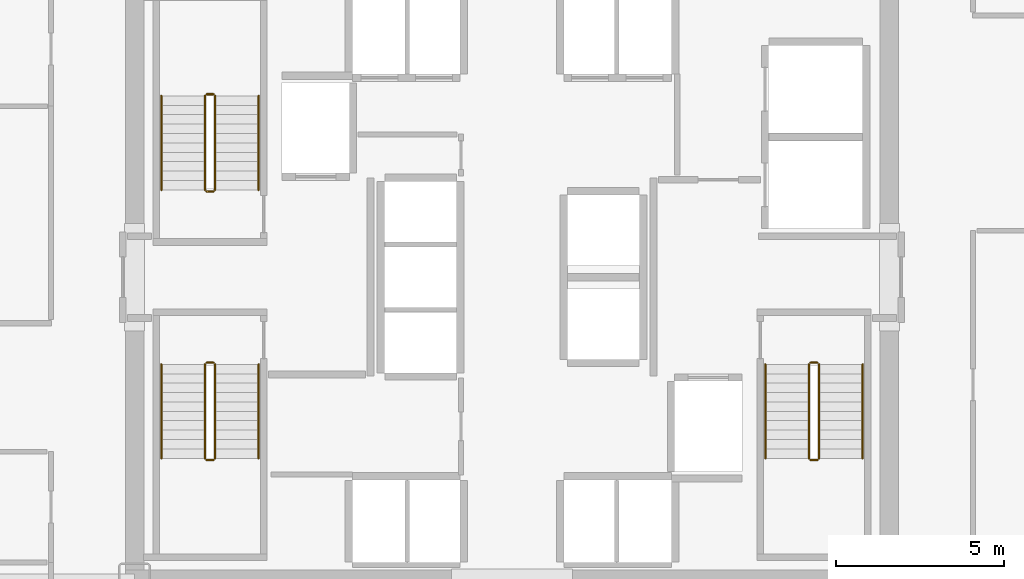
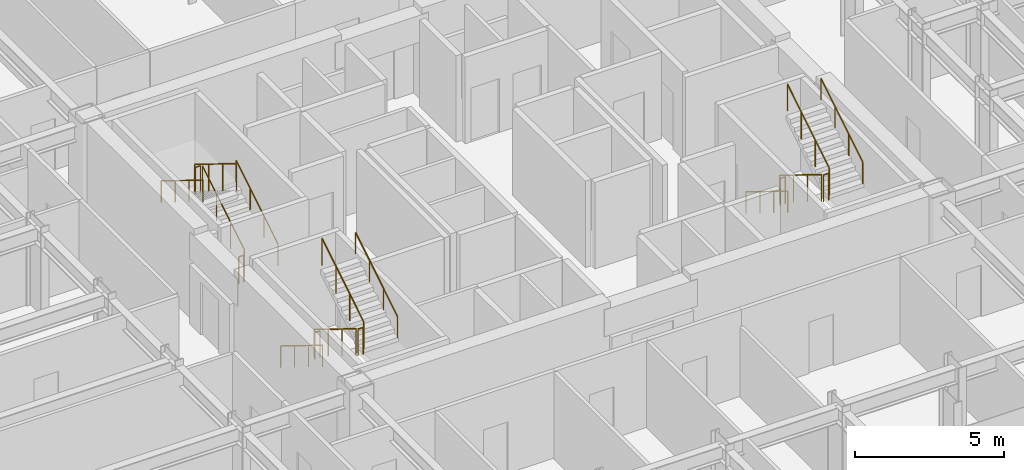
# One storey, part 26 of 26: 18 railings.
"""IFC4 building model written with IfcOpenShell, lengths in metres."""

from ifc_helpers import new_model, si_unit, direction, frame, origin, origin_2d, place, context, subcontext, project, spatial, circle, extrude, material, type_object, element, save


model = new_model("IFC4")

# Units and contexts
model_context = context("Model", 3, precision=1e-05, world=origin(), true_north=direction((0.0, 1.0)))
body_context = subcontext(model_context, "Body", "Model", "MODEL_VIEW")
ifc_project = project(units=[si_unit("LENGTHUNIT", "METRE"), si_unit("AREAUNIT", "SQUARE_METRE"), si_unit("VOLUMEUNIT", "CUBIC_METRE"), si_unit("PLANEANGLEUNIT", "RADIAN"), si_unit("MASSUNIT", "GRAM", prefix="KILO")], contexts=[model_context])

# Site, building, storey
site_placement = place(None, origin())
site = spatial("IfcSite", under=ifc_project, at=site_placement, CompositionType="ELEMENT")
building_placement = place(site_placement, origin())
building = spatial("IfcBuilding", under=site, at=building_placement, Name="Nefas-Gora Pilgrimage Tower", CompositionType="ELEMENT")
storey_placement = place(building_placement, frame((0.0, 0.0, 117.39990234375)))
storey = spatial("IfcBuildingStorey", under=building, at=storey_placement, Name="L28", CompositionType="ELEMENT", Elevation=117.39990234375)

# Railings
ifc_material_1 = material(Name="Painted galvanised steel", Category="steel")
railing_type_1 = type_object("IfcRailingType", Name="RLG-STR-GUARD-1100", PredefinedType="GUARDRAIL", material=ifc_material_1)
railing_1_placement = place(storey_placement, frame((-8.85009765625, 2.60009765625, 0.1728515625)))
element("IfcRailing", 1, at=railing_1_placement, inside=storey, type_object=railing_type_1, Name="L28 ST-01 stair guard 1", PredefinedType="GUARDRAIL", context=body_context, shape_type="SweptSolid", body=[
    extrude(circle(Radius=0.02392578125, at=origin_2d()), frame((0.0, 0.0, 1.09619140625), z_axis=(0.0, 0.851069175582, 0.525053576669), x_axis=(-1.0, 0.0, 0.0)), (0.0, 0.0, 1.0), 3.289794921875),
    extrude(circle(Radius=0.02099609375, at=origin_2d()), origin(), (0.0, 0.0, 1.0), 1.072021484375),
    extrude(circle(Radius=0.02099609375, at=origin_2d()), frame((0.0, 0.933349609375, 0.57568359375)), (0.0, 0.0, 1.0), 1.072021484375),
    extrude(circle(Radius=0.02099609375, at=origin_2d()), frame((0.0, 1.866455078125, 1.151611328125)), (0.0, 0.0, 1.0), 1.072021484375),
    extrude(circle(Radius=0.02099609375, at=origin_2d()), frame((0.0, 2.7998046875, 1.727294921875)), (0.0, 0.0, 1.0), 1.072021484375),
])
railing_2_placement = place(storey_placement, frame((-8.89990234375, 5.449951171875, 1.900146484375)))
element("IfcRailing", 2, at=railing_2_placement, inside=storey, type_object=railing_type_1, Name="L28 ST-01 stair guard 2", PredefinedType="GUARDRAIL", context=body_context, shape_type="SweptSolid", body=[
    extrude(circle(Radius=0.02392578125, at=origin_2d()), frame((0.0, 0.0, 1.09619140625), z_axis=(-1.0, 0.0, 0.0), x_axis=(0.0, -1.0, 0.0)), (0.0, 0.0, 1.0), 0.2001953125),
    extrude(circle(Radius=0.02099609375, at=origin_2d()), origin(), (0.0, 0.0, 1.0), 1.072021484375),
    extrude(circle(Radius=0.02099609375, at=origin_2d()), frame((-0.2001953125, 0.0, 0.0)), (0.0, 0.0, 1.0), 1.072021484375),
])
railing_3_placement = place(storey_placement, frame((-9.14990234375, 5.39990234375, 2.07275390625)))
element("IfcRailing", 3, at=railing_3_placement, inside=storey, type_object=railing_type_1, Name="L28 ST-01 stair guard 3", PredefinedType="GUARDRAIL", context=body_context, shape_type="SweptSolid", body=[
    extrude(circle(Radius=0.02392578125, at=origin_2d()), frame((0.0, 0.0, 1.09619140625), z_axis=(0.0, -0.851069175582, 0.525053576669), x_axis=(1.0, 0.0, 0.0)), (0.0, 0.0, 1.0), 3.289794921875),
    extrude(circle(Radius=0.02099609375, at=origin_2d()), origin(), (0.0, 0.0, 1.0), 1.072021484375),
    extrude(circle(Radius=0.02099609375, at=origin_2d()), frame((0.0, -0.933349609375, 0.57568359375)), (0.0, 0.0, 1.0), 1.072021484375),
    extrude(circle(Radius=0.02099609375, at=origin_2d()), frame((0.0, -1.866455078125, 1.151611328125)), (0.0, 0.0, 1.0), 1.072021484375),
    extrude(circle(Radius=0.02099609375, at=origin_2d()), frame((0.0, -2.7998046875, 1.727294921875)), (0.0, 0.0, 1.0), 1.072021484375),
])
railing_4_placement = place(storey_placement, frame((-8.89990234375, 2.550048828125, 0.0)))
element("IfcRailing", 4, at=railing_4_placement, inside=storey, type_object=railing_type_1, Name="L28 ST-01 stair guard 4", PredefinedType="GUARDRAIL", context=body_context, shape_type="SweptSolid", body=[
    extrude(circle(Radius=0.02392578125, at=origin_2d()), frame((0.0, 0.0, 1.09619140625), z_axis=(-1.0, 0.0, 0.0), x_axis=(0.0, -1.0, 0.0)), (0.0, 0.0, 1.0), 0.2001953125),
    extrude(circle(Radius=0.02099609375, at=origin_2d()), origin(), (0.0, 0.0, 1.0), 1.072021484375),
    extrude(circle(Radius=0.02099609375, at=origin_2d()), frame((-0.2001953125, 0.0, 0.0)), (0.0, 0.0, 1.0), 1.072021484375),
])
railing_5_placement = place(storey_placement, frame((8.85009765625, -2.60009765625, 0.1728515625)))
element("IfcRailing", 5, at=railing_5_placement, inside=storey, type_object=railing_type_1, Name="L28 ST-02 stair guard 1", PredefinedType="GUARDRAIL", context=body_context, shape_type="SweptSolid", body=[
    extrude(circle(Radius=0.02392578125, at=origin_2d()), frame((0.0, 0.0, 1.09619140625), z_axis=(0.0, -0.851069175582, 0.525053576669), x_axis=(1.0, 0.0, 0.0)), (0.0, 0.0, 1.0), 3.289794921875),
    extrude(circle(Radius=0.02099609375, at=origin_2d()), origin(), (0.0, 0.0, 1.0), 1.072021484375),
    extrude(circle(Radius=0.02099609375, at=origin_2d()), frame((0.0, -0.933349609375, 0.57568359375)), (0.0, 0.0, 1.0), 1.072021484375),
    extrude(circle(Radius=0.02099609375, at=origin_2d()), frame((0.0, -1.866455078125, 1.151611328125)), (0.0, 0.0, 1.0), 1.072021484375),
    extrude(circle(Radius=0.02099609375, at=origin_2d()), frame((0.0, -2.7998046875, 1.727294921875)), (0.0, 0.0, 1.0), 1.072021484375),
])
railing_6_placement = place(storey_placement, frame((8.89990234375, -5.449951171875, 1.900146484375)))
element("IfcRailing", 6, at=railing_6_placement, inside=storey, type_object=railing_type_1, Name="L28 ST-02 stair guard 2", PredefinedType="GUARDRAIL", context=body_context, shape_type="SweptSolid", body=[
    extrude(circle(Radius=0.02392578125, at=origin_2d()), frame((0.0, 0.0, 1.09619140625), z_axis=(1.0, 0.0, 0.0), x_axis=(0.0, 1.0, 0.0)), (0.0, 0.0, 1.0), 0.2001953125),
    extrude(circle(Radius=0.02099609375, at=origin_2d()), origin(), (0.0, 0.0, 1.0), 1.072021484375),
    extrude(circle(Radius=0.02099609375, at=origin_2d()), frame((0.2001953125, 0.0, 0.0)), (0.0, 0.0, 1.0), 1.072021484375),
])
railing_7_placement = place(storey_placement, frame((9.14990234375, -5.39990234375, 2.07275390625)))
element("IfcRailing", 7, at=railing_7_placement, inside=storey, type_object=railing_type_1, Name="L28 ST-02 stair guard 3", PredefinedType="GUARDRAIL", context=body_context, shape_type="SweptSolid", body=[
    extrude(circle(Radius=0.02392578125, at=origin_2d()), frame((0.0, 0.0, 1.09619140625), z_axis=(0.0, 0.851069175582, 0.525053576669), x_axis=(-1.0, 0.0, 0.0)), (0.0, 0.0, 1.0), 3.289794921875),
    extrude(circle(Radius=0.02099609375, at=origin_2d()), origin(), (0.0, 0.0, 1.0), 1.072021484375),
    extrude(circle(Radius=0.02099609375, at=origin_2d()), frame((0.0, 0.933349609375, 0.57568359375)), (0.0, 0.0, 1.0), 1.072021484375),
    extrude(circle(Radius=0.02099609375, at=origin_2d()), frame((0.0, 1.866455078125, 1.151611328125)), (0.0, 0.0, 1.0), 1.072021484375),
    extrude(circle(Radius=0.02099609375, at=origin_2d()), frame((0.0, 2.7998046875, 1.727294921875)), (0.0, 0.0, 1.0), 1.072021484375),
])
railing_8_placement = place(storey_placement, frame((8.89990234375, -2.550048828125, 0.0)))
element("IfcRailing", 8, at=railing_8_placement, inside=storey, type_object=railing_type_1, Name="L28 ST-02 stair guard 4", PredefinedType="GUARDRAIL", context=body_context, shape_type="SweptSolid", body=[
    extrude(circle(Radius=0.02392578125, at=origin_2d()), frame((0.0, 0.0, 1.09619140625), z_axis=(1.0, 0.0, 0.0), x_axis=(0.0, 1.0, 0.0)), (0.0, 0.0, 1.0), 0.2001953125),
    extrude(circle(Radius=0.02099609375, at=origin_2d()), origin(), (0.0, 0.0, 1.0), 1.072021484375),
    extrude(circle(Radius=0.02099609375, at=origin_2d()), frame((0.2001953125, 0.0, 0.0)), (0.0, 0.0, 1.0), 1.072021484375),
])
railing_9_placement = place(storey_placement, frame((-9.14990234375, -2.60009765625, 0.1728515625)))
element("IfcRailing", 9, at=railing_9_placement, inside=storey, type_object=railing_type_1, Name="L28 ST-03 stair guard 1", PredefinedType="GUARDRAIL", context=body_context, shape_type="SweptSolid", body=[
    extrude(circle(Radius=0.02392578125, at=origin_2d()), frame((0.0, 0.0, 1.09619140625), z_axis=(0.0, -0.851069175582, 0.525053576669), x_axis=(1.0, 0.0, 0.0)), (0.0, 0.0, 1.0), 3.289794921875),
    extrude(circle(Radius=0.02099609375, at=origin_2d()), origin(), (0.0, 0.0, 1.0), 1.072021484375),
    extrude(circle(Radius=0.02099609375, at=origin_2d()), frame((0.0, -0.933349609375, 0.57568359375)), (0.0, 0.0, 1.0), 1.072021484375),
    extrude(circle(Radius=0.02099609375, at=origin_2d()), frame((0.0, -1.866455078125, 1.151611328125)), (0.0, 0.0, 1.0), 1.072021484375),
    extrude(circle(Radius=0.02099609375, at=origin_2d()), frame((0.0, -2.7998046875, 1.727294921875)), (0.0, 0.0, 1.0), 1.072021484375),
])
railing_10_placement = place(storey_placement, frame((-9.10009765625, -5.449951171875, 1.900146484375)))
element("IfcRailing", 10, at=railing_10_placement, inside=storey, type_object=railing_type_1, Name="L28 ST-03 stair guard 2", PredefinedType="GUARDRAIL", context=body_context, shape_type="SweptSolid", body=[
    extrude(circle(Radius=0.02392578125, at=origin_2d()), frame((0.0, 0.0, 1.09619140625), z_axis=(1.0, 0.0, 0.0), x_axis=(0.0, 1.0, 0.0)), (0.0, 0.0, 1.0), 0.2001953125),
    extrude(circle(Radius=0.02099609375, at=origin_2d()), origin(), (0.0, 0.0, 1.0), 1.072021484375),
    extrude(circle(Radius=0.02099609375, at=origin_2d()), frame((0.2001953125, 0.0, 0.0)), (0.0, 0.0, 1.0), 1.072021484375),
])
railing_11_placement = place(storey_placement, frame((-8.85009765625, -5.39990234375, 2.07275390625)))
element("IfcRailing", 11, at=railing_11_placement, inside=storey, type_object=railing_type_1, Name="L28 ST-03 stair guard 3", PredefinedType="GUARDRAIL", context=body_context, shape_type="SweptSolid", body=[
    extrude(circle(Radius=0.02392578125, at=origin_2d()), frame((0.0, 0.0, 1.09619140625), z_axis=(0.0, 0.851069175582, 0.525053576669), x_axis=(-1.0, 0.0, 0.0)), (0.0, 0.0, 1.0), 3.289794921875),
    extrude(circle(Radius=0.02099609375, at=origin_2d()), origin(), (0.0, 0.0, 1.0), 1.072021484375),
    extrude(circle(Radius=0.02099609375, at=origin_2d()), frame((0.0, 0.933349609375, 0.57568359375)), (0.0, 0.0, 1.0), 1.072021484375),
    extrude(circle(Radius=0.02099609375, at=origin_2d()), frame((0.0, 1.866455078125, 1.151611328125)), (0.0, 0.0, 1.0), 1.072021484375),
    extrude(circle(Radius=0.02099609375, at=origin_2d()), frame((0.0, 2.7998046875, 1.727294921875)), (0.0, 0.0, 1.0), 1.072021484375),
])
railing_12_placement = place(storey_placement, frame((-9.10009765625, -2.550048828125, 0.0)))
element("IfcRailing", 12, at=railing_12_placement, inside=storey, type_object=railing_type_1, Name="L28 ST-03 stair guard 4", PredefinedType="GUARDRAIL", context=body_context, shape_type="SweptSolid", body=[
    extrude(circle(Radius=0.02392578125, at=origin_2d()), frame((0.0, 0.0, 1.09619140625), z_axis=(1.0, 0.0, 0.0), x_axis=(0.0, 1.0, 0.0)), (0.0, 0.0, 1.0), 0.2001953125),
    extrude(circle(Radius=0.02099609375, at=origin_2d()), origin(), (0.0, 0.0, 1.0), 1.072021484375),
    extrude(circle(Radius=0.02099609375, at=origin_2d()), frame((0.2001953125, 0.0, 0.0)), (0.0, 0.0, 1.0), 1.072021484375),
])
ifc_material_2 = material(Name="Brushed stainless steel", Category="steel")
railing_type_2 = type_object("IfcRailingType", Name="RLG-STR-HAND-900", PredefinedType="HANDRAIL", material=ifc_material_2)
railing_13_placement = place(storey_placement, frame((-7.550048828125, 2.60009765625, 0.1728515625)))
element("IfcRailing", 13, at=railing_13_placement, inside=storey, type_object=railing_type_2, Name="L28 ST-01 stair handrail 1", PredefinedType="HANDRAIL", context=body_context, shape_type="SweptSolid", body=[
    extrude(circle(Radius=0.02392578125, at=origin_2d()), frame((0.0, 0.0, 0.8759765625), z_axis=(0.0, 0.851069175582, 0.525053576669), x_axis=(-1.0, 0.0, 0.0)), (0.0, 0.0, 1.0), 3.289794921875),
    extrude(circle(Radius=0.02099609375, at=origin_2d()), origin(), (0.0, 0.0, 1.0), 0.851806640625),
    extrude(circle(Radius=0.02099609375, at=origin_2d()), frame((0.0, 0.933349609375, 0.57568359375)), (0.0, 0.0, 1.0), 0.851806640625),
    extrude(circle(Radius=0.02099609375, at=origin_2d()), frame((0.0, 1.866455078125, 1.151611328125)), (0.0, 0.0, 1.0), 0.851806640625),
    extrude(circle(Radius=0.02099609375, at=origin_2d()), frame((0.0, 2.7998046875, 1.727294921875)), (0.0, 0.0, 1.0), 0.851806640625),
])
for number, where, name in (
    (14, (-10.449951171875, 5.39990234375, 2.07275390625), "L28 ST-01 stair handrail 2"),
    (15, (7.550048828125, -2.60009765625, 0.1728515625), "L28 ST-02 stair handrail 1"),
):
    element("IfcRailing", number, at=place(storey_placement, frame(where)), inside=storey, type_object=railing_type_2, Name=name, PredefinedType="HANDRAIL", context=body_context, shape_type="SweptSolid", body=[
        extrude(circle(Radius=0.02392578125, at=origin_2d()), frame((0.0, 0.0, 0.8759765625), z_axis=(0.0, -0.851069175582, 0.525053576669), x_axis=(1.0, 0.0, 0.0)), (0.0, 0.0, 1.0), 3.289794921875),
        extrude(circle(Radius=0.02099609375, at=origin_2d()), origin(), (0.0, 0.0, 1.0), 0.851806640625),
        extrude(circle(Radius=0.02099609375, at=origin_2d()), frame((0.0, -0.933349609375, 0.57568359375)), (0.0, 0.0, 1.0), 0.851806640625),
        extrude(circle(Radius=0.02099609375, at=origin_2d()), frame((0.0, -1.866455078125, 1.151611328125)), (0.0, 0.0, 1.0), 0.851806640625),
        extrude(circle(Radius=0.02099609375, at=origin_2d()), frame((0.0, -2.7998046875, 1.727294921875)), (0.0, 0.0, 1.0), 0.851806640625),
    ])
railing_14_placement = place(storey_placement, frame((10.449951171875, -5.39990234375, 2.07275390625)))
element("IfcRailing", 16, at=railing_14_placement, inside=storey, type_object=railing_type_2, Name="L28 ST-02 stair handrail 2", PredefinedType="HANDRAIL", context=body_context, shape_type="SweptSolid", body=[
    extrude(circle(Radius=0.02392578125, at=origin_2d()), frame((0.0, 0.0, 0.8759765625), z_axis=(0.0, 0.851069175582, 0.525053576669), x_axis=(-1.0, 0.0, 0.0)), (0.0, 0.0, 1.0), 3.289794921875),
    extrude(circle(Radius=0.02099609375, at=origin_2d()), origin(), (0.0, 0.0, 1.0), 0.851806640625),
    extrude(circle(Radius=0.02099609375, at=origin_2d()), frame((0.0, 0.933349609375, 0.57568359375)), (0.0, 0.0, 1.0), 0.851806640625),
    extrude(circle(Radius=0.02099609375, at=origin_2d()), frame((0.0, 1.866455078125, 1.151611328125)), (0.0, 0.0, 1.0), 0.851806640625),
    extrude(circle(Radius=0.02099609375, at=origin_2d()), frame((0.0, 2.7998046875, 1.727294921875)), (0.0, 0.0, 1.0), 0.851806640625),
])
railing_15_placement = place(storey_placement, frame((-10.449951171875, -2.60009765625, 0.1728515625)))
element("IfcRailing", 17, at=railing_15_placement, inside=storey, type_object=railing_type_2, Name="L28 ST-03 stair handrail 1", PredefinedType="HANDRAIL", context=body_context, shape_type="SweptSolid", body=[
    extrude(circle(Radius=0.02392578125, at=origin_2d()), frame((0.0, 0.0, 0.8759765625), z_axis=(0.0, -0.851069175582, 0.525053576669), x_axis=(1.0, 0.0, 0.0)), (0.0, 0.0, 1.0), 3.289794921875),
    extrude(circle(Radius=0.02099609375, at=origin_2d()), origin(), (0.0, 0.0, 1.0), 0.851806640625),
    extrude(circle(Radius=0.02099609375, at=origin_2d()), frame((0.0, -0.933349609375, 0.57568359375)), (0.0, 0.0, 1.0), 0.851806640625),
    extrude(circle(Radius=0.02099609375, at=origin_2d()), frame((0.0, -1.866455078125, 1.151611328125)), (0.0, 0.0, 1.0), 0.851806640625),
    extrude(circle(Radius=0.02099609375, at=origin_2d()), frame((0.0, -2.7998046875, 1.727294921875)), (0.0, 0.0, 1.0), 0.851806640625),
])
railing_16_placement = place(storey_placement, frame((-7.550048828125, -5.39990234375, 2.07275390625)))
element("IfcRailing", 18, at=railing_16_placement, inside=storey, type_object=railing_type_2, Name="L28 ST-03 stair handrail 2", PredefinedType="HANDRAIL", context=body_context, shape_type="SweptSolid", body=[
    extrude(circle(Radius=0.02392578125, at=origin_2d()), frame((0.0, 0.0, 0.8759765625), z_axis=(0.0, 0.851069175582, 0.525053576669), x_axis=(-1.0, 0.0, 0.0)), (0.0, 0.0, 1.0), 3.289794921875),
    extrude(circle(Radius=0.02099609375, at=origin_2d()), origin(), (0.0, 0.0, 1.0), 0.851806640625),
    extrude(circle(Radius=0.02099609375, at=origin_2d()), frame((0.0, 0.933349609375, 0.57568359375)), (0.0, 0.0, 1.0), 0.851806640625),
    extrude(circle(Radius=0.02099609375, at=origin_2d()), frame((0.0, 1.866455078125, 1.151611328125)), (0.0, 0.0, 1.0), 0.851806640625),
    extrude(circle(Radius=0.02099609375, at=origin_2d()), frame((0.0, 2.7998046875, 1.727294921875)), (0.0, 0.0, 1.0), 0.851806640625),
])

save(model, "model.ifc")
